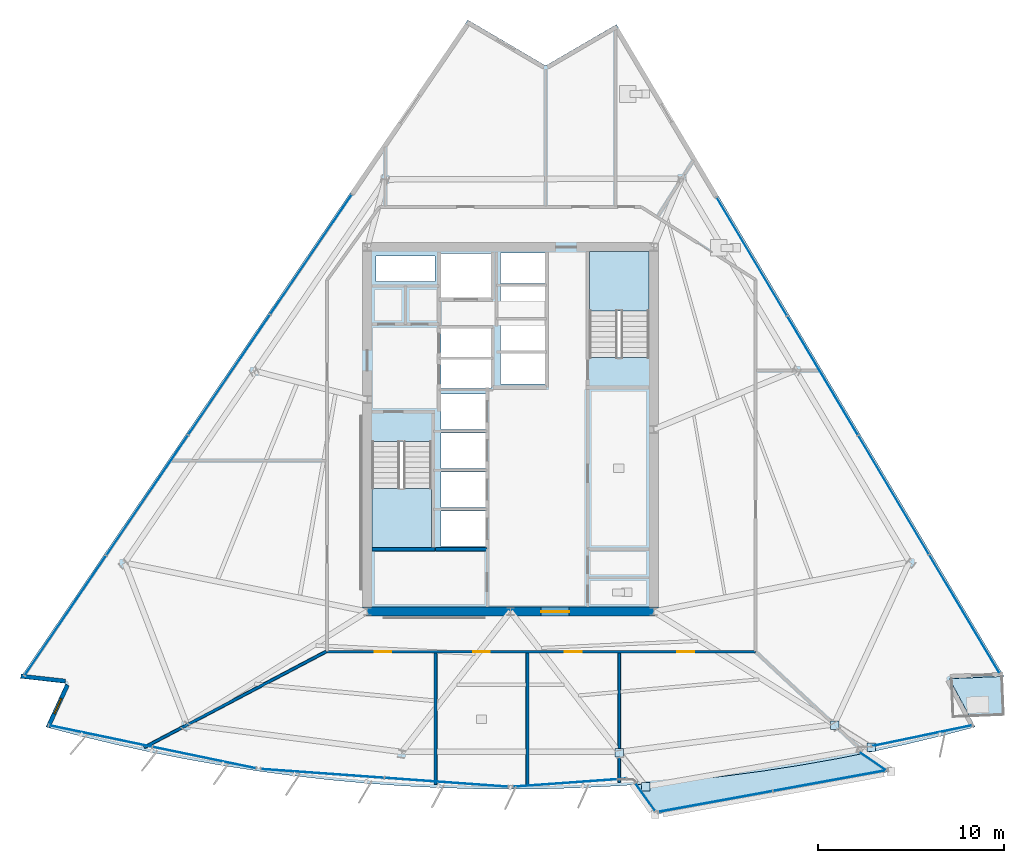
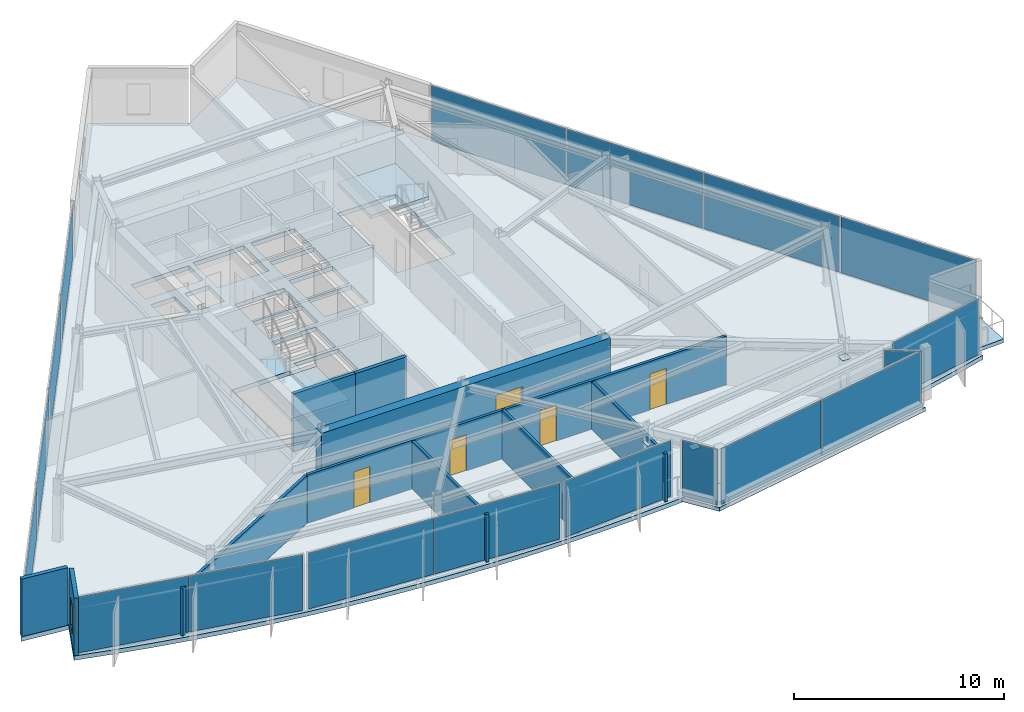
# One storey, part 6 of 12: 22 plates, 10 walls, 5 doors, 5 slabs, 1 window, 6 openings, 11 elements without a shape of their own.
"""IFC4 building model written with IfcOpenShell, lengths in metres."""

from ifc_helpers import new_model, si_unit, direction, frame, frame_2d, origin, origin_2d, place, context, subcontext, project, spatial, polyline, rectangle, outline, extrude, material, layer, layer_set, type_object, element, fill, aggregate, save


model = new_model("IFC4")

# Units and contexts
model_context = context("Model", 3, precision=1e-05, world=origin(), true_north=direction((0.0, 1.0)))
body_context = subcontext(model_context, "Body", "Model", "MODEL_VIEW")
ifc_project = project(units=[si_unit("LENGTHUNIT", "METRE"), si_unit("AREAUNIT", "SQUARE_METRE"), si_unit("VOLUMEUNIT", "CUBIC_METRE"), si_unit("PLANEANGLEUNIT", "RADIAN"), si_unit("MASSUNIT", "GRAM", prefix="KILO")], contexts=[model_context])

# Site, building, storey
site_placement = place(None, origin())
site = spatial("IfcSite", under=ifc_project, at=site_placement, CompositionType="ELEMENT")
building_placement = place(site_placement, origin())
building = spatial("IfcBuilding", under=site, at=building_placement, Name="Savorim Split Tower", CompositionType="ELEMENT")
storey_placement = place(building_placement, frame((0.0, 0.0, 171.0)))
storey = spatial("IfcBuildingStorey", under=building, at=storey_placement, Name="L45", CompositionType="ELEMENT", Elevation=171.0)

# Curtain wall, plates
ifc_material_1 = material(Name="Dark Ceramic-Fritted Insulated Glass", Category="glass")
curtain_wall_type_1 = type_object("IfcCurtainWallType", Name="CW-TWR-FRIT-B", PredefinedType="NOTDEFINED", material=ifc_material_1)
curtain_wall_1_placement = place(storey_placement, origin())
curtain_wall_1 = element("IfcCurtainWall", 1, at=curtain_wall_1_placement, inside=storey, type_object=curtain_wall_type_1, Name="L45 Curtain Wall CW-L45-SF1A", PredefinedType="NOTDEFINED")
ifc_layer_1 = layer(ifc_material_1, 0.02587890625)
ifc_layer_set_1 = layer_set([ifc_layer_1], Name="CWP-FRITB-26")
plate_type_1 = type_object("IfcPlateType", Name="CWP-FRITB-26", PredefinedType="CURTAIN_PANEL", material=ifc_layer_set_1)
plate_1_placement = place(storey_placement, frame((-22.048583984375, -16.09619140625, 0.050048828125), z_axis=(0.0, 0.0, 1.0), x_axis=(0.979133837467, -0.20321645683, 0.0)))
plate_1 = element("IfcPlate", 2, at=plate_1_placement, type_object=plate_type_1, Name="CW-03 panel 1.1", PredefinedType="CURTAIN_PANEL", context=body_context, shape_type="SweptSolid", body=[
    extrude(rectangle(XDim=5.642333984375, YDim=0.02587890625, at=origin_2d()), origin(), (0.0, 0.0, 1.0), 3.25),
])
plate_2_placement = place(storey_placement, frame((-16.46533203125, -17.255126953125, 0.050048828125), z_axis=(0.0, 0.0, 1.0), x_axis=(0.979133837467, -0.20321645683, 0.0)))
plate_2 = element("IfcPlate", 3, at=plate_2_placement, type_object=plate_type_1, Name="CW-03 panel 2.1", PredefinedType="CURTAIN_PANEL", context=body_context, shape_type="SweptSolid", body=[
    extrude(rectangle(XDim=5.642333984375, YDim=0.02587890625, at=origin_2d()), origin(), (0.0, 0.0, 1.0), 3.25),
])
aggregate(curtain_wall_1, [plate_1, plate_2])

curtain_wall_2_placement = place(storey_placement, origin())
curtain_wall_2 = element("IfcCurtainWall", 4, at=curtain_wall_2_placement, inside=storey, type_object=curtain_wall_type_1, Name="L45 Curtain Wall CW-L45-SF2A", PredefinedType="NOTDEFINED")
plate_3_placement = place(storey_placement, frame((-10.104736328125, -18.106689453125, 0.050048828125), z_axis=(0.0, 0.0, 1.0), x_axis=(0.997436348097, -0.07155928658, 0.0)))
plate_3 = element("IfcPlate", 5, at=plate_3_placement, type_object=plate_type_1, Name="CW-03 panel 1.1", PredefinedType="CURTAIN_PANEL", context=body_context, shape_type="SweptSolid", body=[
    extrude(rectangle(XDim=6.61279296875, YDim=0.02587890625, at=origin_2d()), origin(), (0.0, 0.0, 1.0), 3.25),
])
plate_4_placement = place(storey_placement, frame((-3.448974609375, -18.584228515625, 0.050048828125), z_axis=(0.0, 0.0, 1.0), x_axis=(0.997436348097, -0.07155928658, 0.0)))
plate_4 = element("IfcPlate", 6, at=plate_4_placement, type_object=plate_type_1, Name="CW-03 panel 2.1", PredefinedType="CURTAIN_PANEL", context=body_context, shape_type="SweptSolid", body=[
    extrude(rectangle(XDim=6.61279296875, YDim=0.02587890625, at=origin_2d()), origin(), (0.0, 0.0, 1.0), 3.25),
])
aggregate(curtain_wall_2, [plate_3, plate_4])

# Curtain wall, plate
curtain_wall_3_placement = place(storey_placement, origin())
curtain_wall_3 = element("IfcCurtainWall", 7, at=curtain_wall_3_placement, inside=storey, type_object=curtain_wall_type_1, Name="L45 Curtain Wall CW-L45-SF3A", PredefinedType="NOTDEFINED")
plate_5_placement = place(storey_placement, frame((3.1806640625, -18.603515625, 0.050048828125), z_axis=(0.0, 0.0, 1.0), x_axis=(0.99743619777, 0.07156138189, 0.0)))
plate_5 = element("IfcPlate", 8, at=plate_5_placement, type_object=plate_type_1, Name="CW-03 panel 1.1", PredefinedType="CURTAIN_PANEL", context=body_context, shape_type="SweptSolid", body=[
    extrude(rectangle(XDim=6.07470703125, YDim=0.02587890625, at=origin_2d()), origin(), (0.0, 0.0, 1.0), 3.25),
])
aggregate(curtain_wall_3, [plate_5])

curtain_wall_4_placement = place(storey_placement, origin())
curtain_wall_4 = element("IfcCurtainWall", 9, at=curtain_wall_4_placement, inside=storey, type_object=curtain_wall_type_1, Name="L45 Curtain Wall CW-L45-SF4A", PredefinedType="NOTDEFINED")
plate_6_placement = place(storey_placement, frame((22.120849609375, -16.081298828125, 0.050048828125), z_axis=(0.0, 0.0, 1.0), x_axis=(0.979132901408, 0.203220966883, 0.0)))
plate_6 = element("IfcPlate", 10, at=plate_6_placement, type_object=plate_type_1, Name="CW-03 panel 1.1", PredefinedType="CURTAIN_PANEL", context=body_context, shape_type="SweptSolid", body=[
    extrude(rectangle(XDim=5.4951171875, YDim=0.02587890625, at=origin_2d()), origin(), (0.0, 0.0, 1.0), 3.25),
])
aggregate(curtain_wall_4, [plate_6])

# Curtain wall, plates
curtain_wall_5_placement = place(storey_placement, origin())
curtain_wall_5 = element("IfcCurtainWall", 11, at=curtain_wall_5_placement, inside=storey, type_object=curtain_wall_type_1, Name="L45 Curtain Wall CW-L45-EAST", PredefinedType="NOTDEFINED")
plate_7_placement = place(storey_placement, frame((24.410400390625, -9.536865234375, 0.050048828125), z_axis=(0.0, 0.0, 1.0), x_axis=(-0.511093786039, 0.85952495128, 0.0)))
plate_7 = element("IfcPlate", 12, at=plate_7_placement, type_object=plate_type_1, Name="CW-03 panel 1.1", PredefinedType="CURTAIN_PANEL", context=body_context, shape_type="SweptSolid", body=[
    extrude(rectangle(XDim=7.37353515625, YDim=0.02587890625, at=origin_2d()), origin(), (0.0, 0.0, 1.0), 3.25),
])
plate_8_placement = place(storey_placement, frame((20.603515625, -3.134765625, 0.050048828125), z_axis=(0.0, 0.0, 1.0), x_axis=(-0.511093786039, 0.85952495128, 0.0)))
plate_8 = element("IfcPlate", 13, at=plate_8_placement, type_object=plate_type_1, Name="CW-03 panel 2.1", PredefinedType="CURTAIN_PANEL", context=body_context, shape_type="SweptSolid", body=[
    extrude(rectangle(XDim=7.403564453125, YDim=0.02587890625, at=origin_2d()), origin(), (0.0, 0.0, 1.0), 3.25),
])
plate_9_placement = place(storey_placement, frame((16.7890625, 3.2802734375, 0.050048828125), z_axis=(0.0, 0.0, 1.0), x_axis=(-0.511093786039, 0.85952495128, 0.0)))
plate_9 = element("IfcPlate", 14, at=plate_9_placement, type_object=plate_type_1, Name="CW-03 panel 3.1", PredefinedType="CURTAIN_PANEL", context=body_context, shape_type="SweptSolid", body=[
    extrude(rectangle(XDim=7.403564453125, YDim=0.02587890625, at=origin_2d()), origin(), (0.0, 0.0, 1.0), 3.25),
])
plate_10_placement = place(storey_placement, frame((12.982177734375, 9.682373046875, 0.050048828125), z_axis=(0.0, 0.0, 1.0), x_axis=(-0.511093786039, 0.85952495128, 0.0)))
plate_10 = element("IfcPlate", 15, at=plate_10_placement, type_object=plate_type_1, Name="CW-03 panel 4.1", PredefinedType="CURTAIN_PANEL", context=body_context, shape_type="SweptSolid", body=[
    extrude(rectangle(XDim=7.37353515625, YDim=0.02587890625, at=origin_2d()), origin(), (0.0, 0.0, 1.0), 3.25),
])
aggregate(curtain_wall_5, [plate_7, plate_8, plate_9, plate_10])

curtain_wall_6_placement = place(storey_placement, origin())
curtain_wall_6 = element("IfcCurtainWall", 16, at=curtain_wall_6_placement, inside=storey, type_object=curtain_wall_type_1, Name="L45 Curtain Wall CW-L45-WEST", PredefinedType="NOTDEFINED")
plate_11_placement = place(storey_placement, frame((-10.730224609375, 9.800048828125, 0.050048828125), z_axis=(0.0, 0.0, 1.0), x_axis=(-0.562467714384, -0.826819248854, 0.0)))
plate_11 = element("IfcPlate", 17, at=plate_11_placement, type_object=plate_type_1, Name="CW-03 panel 1.1", PredefinedType="CURTAIN_PANEL", context=body_context, shape_type="SweptSolid", body=[
    extrude(rectangle(XDim=7.74951171875, YDim=0.02587890625, at=origin_2d()), origin(), (0.0, 0.0, 1.0), 3.25),
])
plate_12_placement = place(storey_placement, frame((-15.13134765625, 3.33056640625, 0.050048828125), z_axis=(0.0, 0.0, 1.0), x_axis=(-0.562467714384, -0.826819248854, 0.0)))
plate_12 = element("IfcPlate", 18, at=plate_12_placement, type_object=plate_type_1, Name="CW-03 panel 2.1", PredefinedType="CURTAIN_PANEL", context=body_context, shape_type="SweptSolid", body=[
    extrude(rectangle(XDim=7.779541015625, YDim=0.02587890625, at=origin_2d()), origin(), (0.0, 0.0, 1.0), 3.25),
])
plate_13_placement = place(storey_placement, frame((-19.540771484375, -3.1513671875, 0.050048828125), z_axis=(0.0, 0.0, 1.0), x_axis=(-0.562467714384, -0.826819248854, 0.0)))
plate_13 = element("IfcPlate", 19, at=plate_13_placement, type_object=plate_type_1, Name="CW-03 panel 3.1", PredefinedType="CURTAIN_PANEL", context=body_context, shape_type="SweptSolid", body=[
    extrude(rectangle(XDim=7.779541015625, YDim=0.02587890625, at=origin_2d()), origin(), (0.0, 0.0, 1.0), 3.25),
])
plate_14_placement = place(storey_placement, frame((-23.94189453125, -9.620849609375, 0.050048828125), z_axis=(0.0, 0.0, 1.0), x_axis=(-0.562467714384, -0.826819248854, 0.0)))
plate_14 = element("IfcPlate", 20, at=plate_14_placement, type_object=plate_type_1, Name="CW-03 panel 4.1", PredefinedType="CURTAIN_PANEL", context=body_context, shape_type="SweptSolid", body=[
    extrude(rectangle(XDim=7.74951171875, YDim=0.02587890625, at=origin_2d()), origin(), (0.0, 0.0, 1.0), 3.25),
])
aggregate(curtain_wall_6, [plate_11, plate_12, plate_13, plate_14])

curtain_wall_type_2 = type_object("IfcCurtainWallType", Name="CW-BAY-LOUNGE", PredefinedType="NOTDEFINED", material=ifc_material_1)
curtain_wall_7_placement = place(storey_placement, origin())
curtain_wall_7 = element("IfcCurtainWall", 21, at=curtain_wall_7_placement, inside=storey, type_object=curtain_wall_type_2, Name="L45 Curtain Wall CW-L45-BAYF", PredefinedType="NOTDEFINED")
ifc_material_2 = material(Name="Low-E Operable Double Glazing", Category="glass")
ifc_layer_2 = layer(ifc_material_2, 0.031982421875)
ifc_layer_set_2 = layer_set([ifc_layer_2], Name="CWP-POD-32")
plate_type_2 = type_object("IfcPlateType", Name="CWP-POD-32", PredefinedType="CURTAIN_PANEL", material=ifc_layer_set_2)
plate_15_placement = place(storey_placement, frame((11.01416015625, -19.618408203125, 0.05517578125), z_axis=(0.0, 0.0, 1.0), x_axis=(0.983754673364, 0.17951808442, 0.0)))
plate_15 = element("IfcPlate", 22, at=plate_15_placement, type_object=plate_type_2, Name="CW-04 panel 1.1", PredefinedType="CURTAIN_PANEL", context=body_context, shape_type="SweptSolid", body=[
    extrude(rectangle(XDim=6.22412109375, YDim=0.031982421875, at=origin_2d()), origin(), (0.0, 0.0, 1.0), 3.239990234375),
])
plate_16_placement = place(storey_placement, frame((17.201171875, -18.489501953125, 0.05517578125), z_axis=(0.0, 0.0, 1.0), x_axis=(0.983754673364, 0.17951808442, 0.0)))
plate_16 = element("IfcPlate", 23, at=plate_16_placement, type_object=plate_type_2, Name="CW-04 panel 2.1", PredefinedType="CURTAIN_PANEL", context=body_context, shape_type="SweptSolid", body=[
    extrude(rectangle(XDim=6.22412109375, YDim=0.031982421875, at=origin_2d()), origin(), (0.0, 0.0, 1.0), 3.239990234375),
])
aggregate(curtain_wall_7, [plate_15, plate_16])

# Curtain wall, plate
curtain_wall_8_placement = place(storey_placement, origin())
curtain_wall_8 = element("IfcCurtainWall", 24, at=curtain_wall_8_placement, inside=storey, type_object=curtain_wall_type_2, Name="L45 Curtain Wall CW-L45-BAYW", PredefinedType="NOTDEFINED")
plate_17_placement = place(storey_placement, frame((7.248291015625, -19.3798828125, 0.05517578125), z_axis=(0.0, 0.0, 1.0), x_axis=(0.581096777176, -0.813834464468, 0.0)))
plate_17 = element("IfcPlate", 25, at=plate_17_placement, type_object=plate_type_2, Name="CW-04 panel 1.1", PredefinedType="CURTAIN_PANEL", context=body_context, shape_type="SweptSolid", body=[
    extrude(rectangle(XDim=1.81005859375, YDim=0.031982421875, at=origin_2d()), origin(), (0.0, 0.0, 1.0), 3.239990234375),
])
aggregate(curtain_wall_8, [plate_17])

curtain_wall_9_placement = place(storey_placement, origin())
curtain_wall_9 = element("IfcCurtainWall", 26, at=curtain_wall_9_placement, inside=storey, type_object=curtain_wall_type_2, Name="L45 Curtain Wall CW-L45-BAYE", PredefinedType="NOTDEFINED")
plate_18_placement = place(storey_placement, frame((19.4755859375, -17.45166015625, 0.05517578125), z_axis=(0.0, 0.0, 1.0), x_axis=(-0.829416830494, 0.558630218743, 0.0)))
plate_18 = element("IfcPlate", 27, at=plate_18_placement, type_object=plate_type_2, Name="CW-04 panel 1.1", PredefinedType="CURTAIN_PANEL", context=body_context, shape_type="SweptSolid", body=[
    extrude(rectangle(XDim=1.705078125, YDim=0.031982421875, at=origin_2d()), origin(), (0.0, 0.0, 1.0), 3.239990234375),
])
aggregate(curtain_wall_9, [plate_18])

# Plates
ifc_material_3 = material(Name="Steel S460", Category="steel")
ifc_layer_3 = layer(ifc_material_3, 0.02490234375)
ifc_layer_set_3 = layer_set([ifc_layer_3], Name="PLT-NODE-CN1")
plate_type_3 = type_object("IfcPlateType", Name="PLT-NODE-CN1", PredefinedType="SHEET", material=ifc_layer_set_3)
for number, where, z_axis, x_axis, name in (
    (28, (5.844482421875, -16.9921875, 2.4375), (0.0, 0.0, 1.0), (1.0, 0.0, 0.0), "L45 Bay Strut Column Gusset Plate 1"),
    (29, (7.2734375, -18.811279296875, 2.8076171875), (0.0, 0.0, 1.0), (1.0, 0.0, 0.0), "L45 Bay Strut Tip Gusset Plate 1"),
    (30, (17.43798828125, -15.50390625, 2.4375), (0.0, 0.0, 1.0), (1.0, 0.0, 0.0), "L45 Bay Strut Column Gusset Plate 2"),
    (31, (19.407958984375, -16.7099609375, 2.8076171875), (0.0, 0.0, 1.0), (1.0, 0.0, 0.0), "L45 Bay Strut Tip Gusset Plate 2"),
):
    element("IfcPlate", number, at=place(storey_placement, frame(where, z_axis=z_axis, x_axis=x_axis)), inside=storey, type_object=plate_type_3, Name=name, PredefinedType="SHEET", context=body_context, shape_type="SweptSolid", body=[
        extrude(rectangle(XDim=0.4599609375, YDim=0.4599609375, at=origin_2d()), origin(), (0.0, 0.0, 1.0), 0.02490234375),
    ])

# Slabs
ifc_material_4 = material(Name="Concrete C50/60", Category="concrete")
ifc_layer_4 = layer(ifc_material_4, 0.219970703125)
ifc_layer_set_4 = layer_set([ifc_layer_4], Name="SLB-BAL-220")
slab_type_1 = type_object("IfcSlabType", Name="SLB-BAL-220", PredefinedType="FLOOR", material=ifc_layer_set_4)
slab_1_placement = place(storey_placement, frame((0.0, 0.0, -0.219970703125)))
element("IfcSlab", 32, at=slab_1_placement, inside=storey, type_object=slab_type_1, Name="L45 Cantilevered Shared Kitchen Lounge Slab", PredefinedType="FLOOR", context=body_context, shape_type="SweptSolid", body=[
    extrude(outline(polyline([(19.023193359375, -17.026611328125), (17.4091796875, -17.34423828125), (15.4931640625, -17.680908203125), (13.57080078125, -17.978515625), (11.642578125, -18.236328125), (9.709716796875, -18.454833984375), (7.772705078125, -18.6337890625), (6.650146484375, -18.714111328125), (7.78857421875, -20.30859375), (20.462646484375, -17.995849609375), (19.023193359375, -17.026611328125)])), origin(), (0.0, 0.0, 1.0), 0.219970703125),
])
slab_2_placement = place(storey_placement, frame((0.0, 0.0, -0.219970703125)))
element("IfcSlab", 33, at=slab_2_placement, inside=storey, type_object=slab_type_1, Name="L45 Notched Corner Planted Tree Balcony Slab", PredefinedType="FLOOR", context=body_context, shape_type="SweptSolid", body=[
    extrude(outline(polyline([(26.421142578125, -12.89501953125), (23.71826171875, -13.010009765625), (23.72802734375, -13.24169921875), (24.679931640625, -15.01611328125), (26.508056640625, -14.938232421875), (26.421142578125, -12.89501953125)])), origin(), (0.0, 0.0, 1.0), 0.219970703125),
])

# Stair, slab
stair_type = type_object("IfcStairType", Name="STR-DOG-3600", PredefinedType="HALF_TURN_STAIR", material=ifc_material_4)
stair_1_placement = place(storey_placement, origin())
stair_1 = element("IfcStair", 34, at=stair_1_placement, inside=storey, type_object=stair_type, Name="L45 Core Protected Exit Stair ST-1", PredefinedType="HALF_TURN_STAIR")
ifc_layer_5 = layer(ifc_material_4, 0.199951171875)
ifc_layer_set_5 = layer_set([ifc_layer_5], Name="SLB-LND-200")
slab_type_2 = type_object("IfcSlabType", Name="SLB-LND-200", PredefinedType="LANDING", material=ifc_layer_set_5)
slab_3_placement = place(storey_placement, frame((0.0, 0.0, 1.60009765625)))
slab_3 = element("IfcSlab", 35, at=slab_3_placement, type_object=slab_type_2, Name="ST-1 landing 1", PredefinedType="LANDING", context=body_context, shape_type="SweptSolid", body=[
    extrude(outline(polyline([(-7.449951171875, -2.77001953125), (-7.449951171875, -5.949951171875), (-4.25, -5.949951171875), (-4.25, -2.77001953125), (-7.449951171875, -2.77001953125)])), origin(), (0.0, 0.0, 1.0), 0.199951171875),
])
aggregate(stair_1, [slab_3])

stair_2_placement = place(storey_placement, origin())
stair_2 = element("IfcStair", 36, at=stair_2_placement, inside=storey, type_object=stair_type, Name="L45 Core Protected Exit Stair ST-2", PredefinedType="HALF_TURN_STAIR")
slab_4_placement = place(storey_placement, frame((0.0, 0.0, 1.60009765625)))
slab_4 = element("IfcSlab", 37, at=slab_4_placement, type_object=slab_type_2, Name="ST-2 landing 1", PredefinedType="LANDING", context=body_context, shape_type="SweptSolid", body=[
    extrude(outline(polyline([(7.449951171875, 6.77001953125), (7.449951171875, 9.949951171875), (4.25, 9.949951171875), (4.25, 6.77001953125), (7.449951171875, 6.77001953125)])), origin(), (0.0, 0.0, 1.0), 0.199951171875),
])
aggregate(stair_2, [slab_4])

# Slab
ifc_layer_6 = layer(ifc_material_4, 0.25)
ifc_layer_set_6 = layer_set([ifc_layer_6], Name="SLB-TWR-250")
slab_type_3 = type_object("IfcSlabType", Name="SLB-TWR-250", PredefinedType="FLOOR", material=ifc_layer_set_6)
slab_5_placement = place(storey_placement, frame((0.0, 0.0, -0.25)))
element("IfcSlab", 38, at=slab_5_placement, inside=storey, type_object=slab_type_3, Name="L45 Structural Floor Slab", PredefinedType="FLOOR", context=body_context, shape_type="SweptSolid", body=[
    extrude(outline(polyline([(-24.991943359375, -15.60791015625), (-23.110107421875, -16.10009765625), (-21.21826171875, -16.5537109375), (-19.31787109375, -16.968505859375), (-17.4091796875, -17.34423828125), (-15.4931640625, -17.680908203125), (-13.57080078125, -17.978515625), (-11.642578125, -18.236328125), (-9.709716796875, -18.454833984375), (-7.772705078125, -18.6337890625), (-5.832275390625, -18.77294921875), (-3.8896484375, -18.872314453125), (-1.9453125, -18.93212890625), (0.0, -18.951904296875), (1.9453125, -18.93212890625), (3.8896484375, -18.872314453125), (5.832275390625, -18.77294921875), (7.772705078125, -18.6337890625), (9.709716796875, -18.454833984375), (11.642578125, -18.236328125), (13.57080078125, -17.978515625), (15.4931640625, -17.680908203125), (17.4091796875, -17.34423828125), (19.31787109375, -16.968505859375), (21.21826171875, -16.5537109375), (23.110107421875, -16.10009765625), (24.991943359375, -15.60791015625), (23.59814453125, -13.01025390625), (26.541015625, -12.885009765625), (5.697021484375, 22.1689453125), (1.89208984375, 19.951416015625), (-2.29541015625, 22.41259765625), (-26.378173828125, -12.988525390625), (-23.914794921875, -13.263671875), (-24.991943359375, -15.60791015625)]), holes=[polyline([(-7.449951171875, -0.25390625), (-7.449951171875, -5.949951171875), (-4.25, -5.949951171875), (-4.25, -0.25390625), (-7.449951171875, -0.25390625)]), polyline([(7.449951171875, 4.25390625), (7.449951171875, 9.949951171875), (4.25, 9.949951171875), (4.25, 4.25390625), (7.449951171875, 4.25390625)]), polyline([(-3.75, -5.89990234375), (-1.35009765625, -5.89990234375), (-1.35009765625, -4.0), (-3.75, -4.0), (-3.75, -5.89990234375)]), polyline([(-3.75, -3.800048828125), (-1.35009765625, -3.800048828125), (-1.35009765625, -1.89990234375), (-3.75, -1.89990234375), (-3.75, -3.800048828125)]), polyline([(-3.75, -1.699951171875), (-1.35009765625, -1.699951171875), (-1.35009765625, 0.199951171875), (-3.75, 0.199951171875), (-3.75, -1.699951171875)]), polyline([(-3.75, 0.39990234375), (-1.35009765625, 0.39990234375), (-1.35009765625, 2.300048828125), (-3.75, 2.300048828125), (-3.75, 0.39990234375)]), polyline([(-0.550048828125, 2.830078125), (1.85009765625, 2.830078125), (1.85009765625, 4.469970703125), (-0.550048828125, 4.469970703125), (-0.550048828125, 2.830078125)]), polyline([(-0.550048828125, 4.6298828125), (1.85009765625, 4.6298828125), (1.85009765625, 6.27001953125), (-0.550048828125, 6.27001953125), (-0.550048828125, 4.6298828125)]), polyline([(-0.550048828125, 6.429931640625), (1.85009765625, 6.429931640625), (1.85009765625, 8.070068359375), (-0.550048828125, 8.070068359375), (-0.550048828125, 6.429931640625)]), polyline([(-0.550048828125, 8.22998046875), (1.85009765625, 8.22998046875), (1.85009765625, 9.8701171875), (-0.550048828125, 9.8701171875), (-0.550048828125, 8.22998046875)]), polyline([(-3.75, 2.60009765625), (-1.050048828125, 2.60009765625), (-1.050048828125, 4.159912109375), (-3.75, 4.159912109375), (-3.75, 2.60009765625)]), polyline([(-3.75, 4.280029296875), (-1.050048828125, 4.280029296875), (-1.050048828125, 5.840087890625), (-3.75, 5.840087890625), (-3.75, 4.280029296875)]), polyline([(-3.75, 7.449951171875), (-0.949951171875, 7.449951171875), (-0.949951171875, 9.85009765625), (-3.75, 9.85009765625), (-3.75, 7.449951171875)]), polyline([(-7.219970703125, 6.320068359375), (-5.919921875, 6.320068359375), (-5.919921875, 7.820068359375), (-7.219970703125, 7.820068359375), (-7.219970703125, 6.320068359375)]), polyline([(-5.3798828125, 6.320068359375), (-4.050048828125, 6.320068359375), (-4.050048828125, 7.820068359375), (-5.3798828125, 7.820068359375), (-5.3798828125, 6.320068359375)]), polyline([(-7.219970703125, 8.360107421875), (-4.050048828125, 8.360107421875), (-4.050048828125, 9.719970703125), (-7.219970703125, 9.719970703125), (-7.219970703125, 8.360107421875)])]), origin(), (0.0, 0.0, 1.0), 0.25),
])

# Wall, opening, door
ifc_material_5 = material(Name="Concrete C60/75", Category="concrete")
ifc_layer_7 = layer(ifc_material_5, 0.5)
ifc_layer_set_7 = layer_set([ifc_layer_7], Name="WAL-COR-SH500")
wall_type_1 = type_object("IfcWallType", Name="WAL-COR-SH500", PredefinedType="SHEAR", material=ifc_layer_set_7)
wall_1_placement = place(storey_placement, frame((-7.949951171875, -9.39990234375, 0.0), z_axis=(0.0, 0.0, 1.0), x_axis=(1.0, 0.0, 0.0)))
wall_1 = element("IfcWall", 39, at=wall_1_placement, inside=storey, type_object=wall_type_1, Name="L45 Offset Core South Shear Wall", PredefinedType="SHEAR", context=body_context, shape_type="SweptSolid", body=[
    extrude(rectangle(XDim=15.89990234375, YDim=0.5, at=frame_2d((7.949951171875, 0.0))), origin(), (0.0, 0.0, 1.0), 3.35009765625),
])
opening_1_placement = place(wall_1_placement, frame((9.60009765625, 0.0, 0.0)))
opening_1 = element("IfcOpeningElement", 40, at=opening_1_placement, cuts=wall_1, Name="Opening DI-02", PredefinedType="OPENING", context=body_context, shape_type="SweptSolid", body=[
    extrude(rectangle(XDim=1.5, YDim=2.199951171875, at=frame_2d((0.75, 1.10009765625))), frame((0.0, 0.260009765625, 0.0), z_axis=(0.0, -1.0, 0.0), x_axis=(1.0, 0.0, 0.0)), (0.0, 0.0, 1.0), 0.52001953125),
])
ifc_material_6 = material(Name="Timber Fire Door Leaf", Category="wood")
door_type_1 = type_object("IfcDoorType", Name="DOR-DBL-1500", OperationType="NOTDEFINED", PredefinedType="DOOR", material=ifc_material_6)
door_1_placement = place(opening_1_placement, origin())
door_1 = element("IfcDoor", 41, at=door_1_placement, inside=storey, type_object=door_type_1, Name="DOR-L45-COR-LLOB - L45 Lift Lobby Main Rated Door", OperationType="DOUBLE_DOOR_SINGLE_SWING", OverallHeight=2.199951171875, OverallWidth=1.5, PredefinedType="DOOR", context=body_context, shape_type="SweptSolid", body=[
    extrude(rectangle(XDim=1.5, YDim=2.199951171875, at=frame_2d((0.75, 1.10009765625))), frame((0.0, 0.02490234375, 0.0), z_axis=(0.0, -1.0, 0.0), x_axis=(1.0, 0.0, 0.0)), (0.0, 0.0, 1.0), 0.050048828125),
])
fill(opening_1, door_1)

# Wall
ifc_material_7 = material(Name="Precast concrete C40/50", Category="concrete")
ifc_layer_8 = layer(ifc_material_7, 0.219970703125)
ifc_layer_set_8 = layer_set([ifc_layer_8], Name="WAL-EXT-CRN220")
wall_type_2 = type_object("IfcWallType", Name="WAL-EXT-CRN220", PredefinedType="SOLIDWALL", material=ifc_layer_set_8)
wall_2_placement = place(storey_placement, frame((-23.94140625, -13.139892578125, 0.0), z_axis=(0.0, 0.0, 1.0), x_axis=(-0.993825249999, 0.110956624245, 0.0)))
element("IfcWall", 42, at=wall_2_placement, inside=storey, type_object=wall_type_2, Name="L45 Notched Corner Facade Wall SW1", PredefinedType="SOLIDWALL", context=body_context, shape_type="SweptSolid", body=[
    extrude(rectangle(XDim=2.3984375, YDim=0.219970703125, at=frame_2d((1.19921875, 0.0))), origin(), (0.0, 0.0, 1.0), 3.35009765625),
])

# Wall, opening, window
wall_3_placement = place(storey_placement, frame((-24.8662109375, -15.621826171875, 0.0), z_axis=(0.0, 0.0, 1.0), x_axis=(0.417478378529, 0.908686856657, 0.0)))
wall_3 = element("IfcWall", 43, at=wall_3_placement, inside=storey, type_object=wall_type_2, Name="L45 Notched Corner Facade Wall SW", PredefinedType="SOLIDWALL", context=body_context, shape_type="SweptSolid", body=[
    extrude(rectangle(XDim=2.5, YDim=0.219970703125, at=frame_2d((1.25, 0.0))), origin(), (0.0, 0.0, 1.0), 3.35009765625),
])
opening_2_placement = place(wall_3_placement, frame((0.800048828125, 0.0, 0.6201171875)))
opening_2 = element("IfcOpeningElement", 44, at=opening_2_placement, cuts=wall_3, Name="Opening WN-10", PredefinedType="OPENING", context=body_context, shape_type="SweptSolid", body=[
    extrude(rectangle(XDim=0.89990234375, YDim=1.60009765625, at=frame_2d((0.449951171875, 0.800048828125))), frame((0.0, 0.119873046875, 0.0), z_axis=(0.0, -1.0, 0.0), x_axis=(1.0, 0.0, 0.0)), (0.0, 0.0, 1.0), 0.239990234375),
])
window_type = type_object("IfcWindowType", Name="WIN-TWR-900x1600", PartitioningType="SINGLE_PANEL", PredefinedType="WINDOW", material=ifc_material_2)
window_placement = place(opening_2_placement, origin())
window = element("IfcWindow", 45, at=window_placement, inside=storey, type_object=window_type, Name="L45 Operable Corner Window SW", OverallHeight=1.60009765625, OverallWidth=0.89990234375, PartitioningType="SINGLE_PANEL", PredefinedType="WINDOW", context=body_context, shape_type="SweptSolid", body=[
    extrude(rectangle(XDim=0.89990234375, YDim=1.60009765625, at=frame_2d((0.449951171875, 0.800048828125))), frame((0.0, 0.030029296875, 0.0), z_axis=(0.0, -1.0, 0.0), x_axis=(1.0, 0.0, 0.0)), (0.0, 0.0, 1.0), 0.06005859375),
])
fill(opening_2, window)

# Walls
ifc_layer_9 = layer(ifc_material_4, 0.199951171875)
ifc_layer_set_9 = layer_set([ifc_layer_9], Name="WAL-INT-RC200")
wall_type_3 = type_object("IfcWallType", Name="WAL-INT-RC200", PredefinedType="SOLIDWALL", material=ifc_layer_set_9)
wall_4_placement = place(storey_placement, frame((-7.449951171875, -6.050048828125, 0.0), z_axis=(0.0, 0.0, 1.0), x_axis=(1.0, 0.0, 0.0)))
element("IfcWall", 46, at=wall_4_placement, inside=storey, type_object=wall_type_3, Name="L45 Structural Shaft Wall W-L45-KSEP-W", PredefinedType="SOLIDWALL", context=body_context, shape_type="SweptSolid", body=[
    extrude(rectangle(XDim=3.39990234375, YDim=0.199951171875, at=frame_2d((1.699951171875, 0.0))), origin(), (0.0, 0.0, 1.0), 3.35009765625),
])
wall_5_placement = place(storey_placement, frame((-4.0400390625, -6.050048828125, 0.0), z_axis=(0.0, 0.0, 1.0), x_axis=(1.0, 0.0, 0.0)))
element("IfcWall", 47, at=wall_5_placement, inside=storey, type_object=wall_type_3, Name="L45 Partition W-L45-KSEP-W2", PredefinedType="SOLIDWALL", context=body_context, shape_type="SweptSolid", body=[
    extrude(rectangle(XDim=2.7900390625, YDim=0.199951171875, at=frame_2d((1.39501953125, 0.0))), origin(), (0.0, 0.0, 1.0), 3.35009765625),
])

# Wall, openings, doors
ifc_material_8 = material(Name="Acoustic Gypsum Partition Board")
ifc_layer_10 = layer(ifc_material_8, 0.14990234375)
ifc_layer_set_10 = layer_set([ifc_layer_10], Name="WAL-PAR-150")
wall_type_4 = type_object("IfcWallType", Name="WAL-PAR-150", PredefinedType="PARTITIONING", material=ifc_layer_set_10)
wall_6_placement = place(storey_placement, frame((13.179931640625, -11.56005859375, 0.0), z_axis=(0.0, 0.0, 1.0), x_axis=(-1.0, 0.0, 0.0)))
wall_6 = element("IfcWall", 48, at=wall_6_placement, inside=storey, type_object=wall_type_4, Name="L45 Partition W-L45-COR-06", PredefinedType="PARTITIONING", context=body_context, shape_type="SweptSolid", body=[
    extrude(rectangle(XDim=23.0400390625, YDim=0.14990234375, at=frame_2d((11.52001953125, 0.0))), origin(), (0.0, 0.0, 1.0), 2.824951171875),
])
opening_3_placement = place(wall_6_placement, frame((19.58544921875, 0.0, 0.0)))
opening_3 = element("IfcOpeningElement", 49, at=opening_3_placement, cuts=wall_6, Name="Opening DI-06", PredefinedType="OPENING", context=body_context, shape_type="SweptSolid", body=[
    extrude(rectangle(XDim=0.89990234375, YDim=2.10009765625, at=frame_2d((0.449951171875, 1.050048828125))), frame((0.0, 0.0849609375, 0.0), z_axis=(0.0, -1.0, 0.0), x_axis=(1.0, 0.0, 0.0)), (0.0, 0.0, 1.0), 0.169921875),
])
opening_4_placement = place(wall_6_placement, frame((14.289794921875, 0.0, 0.0)))
opening_4 = element("IfcOpeningElement", 50, at=opening_4_placement, cuts=wall_6, Name="Opening DI-06", PredefinedType="OPENING", context=body_context, shape_type="SweptSolid", body=[
    extrude(rectangle(XDim=0.89990234375, YDim=2.10009765625, at=frame_2d((0.449951171875, 1.050048828125))), frame((0.0, 0.0849609375, 0.0), z_axis=(0.0, -1.0, 0.0), x_axis=(1.0, 0.0, 0.0)), (0.0, 0.0, 1.0), 0.169921875),
])
opening_5_placement = place(wall_6_placement, frame((9.3505859375, 0.0, 0.0)))
opening_5 = element("IfcOpeningElement", 51, at=opening_5_placement, cuts=wall_6, Name="Opening DI-06", PredefinedType="OPENING", context=body_context, shape_type="SweptSolid", body=[
    extrude(rectangle(XDim=0.89990234375, YDim=2.10009765625, at=frame_2d((0.449951171875, 1.050048828125))), frame((0.0, 0.0849609375, 0.0), z_axis=(0.0, -1.0, 0.0), x_axis=(1.0, 0.0, 0.0)), (0.0, 0.0, 1.0), 0.169921875),
])
opening_6_placement = place(wall_6_placement, frame((3.3046875, 0.0, 0.0)))
opening_6 = element("IfcOpeningElement", 52, at=opening_6_placement, cuts=wall_6, Name="Opening DI-06", PredefinedType="OPENING", context=body_context, shape_type="SweptSolid", body=[
    extrude(rectangle(XDim=0.89990234375, YDim=2.10009765625, at=frame_2d((0.449951171875, 1.050048828125))), frame((0.0, 0.0849609375, 0.0), z_axis=(0.0, -1.0, 0.0), x_axis=(1.0, 0.0, 0.0)), (0.0, 0.0, 1.0), 0.169921875),
])
door_type_2 = type_object("IfcDoorType", Name="DOR-FIR-900", OperationType="NOTDEFINED", PredefinedType="DOOR", material=ifc_material_6)
door_2_placement = place(opening_3_placement, origin())
door_2 = element("IfcDoor", 53, at=door_2_placement, inside=storey, type_object=door_type_2, Name="DR-L45-RM02 - L45 Maker Workshop Entry Door", OperationType="SINGLE_SWING_LEFT", OverallHeight=2.10009765625, OverallWidth=0.89990234375, PredefinedType="DOOR", context=body_context, shape_type="SweptSolid", body=[
    extrude(rectangle(XDim=0.89990234375, YDim=2.10009765625, at=frame_2d((0.449951171875, 1.050048828125))), frame((0.0, 0.02490234375, 0.0), z_axis=(0.0, -1.0, 0.0), x_axis=(1.0, 0.0, 0.0)), (0.0, 0.0, 1.0), 0.050048828125),
])
fill(opening_3, door_2)
door_3_placement = place(opening_4_placement, origin())
door_3 = element("IfcDoor", 54, at=door_3_placement, inside=storey, type_object=door_type_2, Name="DR-L45-RM03 - L45 Shared Kitchen Entry Door", OperationType="SINGLE_SWING_RIGHT", OverallHeight=2.10009765625, OverallWidth=0.89990234375, PredefinedType="DOOR", context=body_context, shape_type="SweptSolid", body=[
    extrude(rectangle(XDim=0.89990234375, YDim=2.10009765625, at=frame_2d((0.449951171875, 1.050048828125))), frame((0.0, 0.02490234375, 0.0), z_axis=(0.0, -1.0, 0.0), x_axis=(1.0, 0.0, 0.0)), (0.0, 0.0, 1.0), 0.050048828125),
])
fill(opening_4, door_3)
door_4_placement = place(opening_5_placement, origin())
door_4 = element("IfcDoor", 55, at=door_4_placement, inside=storey, type_object=door_type_2, Name="DR-L45-RM04 - L45 Co-Living Bedroom Entry Door", OperationType="SINGLE_SWING_LEFT", OverallHeight=2.10009765625, OverallWidth=0.89990234375, PredefinedType="DOOR", context=body_context, shape_type="SweptSolid", body=[
    extrude(rectangle(XDim=0.89990234375, YDim=2.10009765625, at=frame_2d((0.449951171875, 1.050048828125))), frame((0.0, 0.02490234375, 0.0), z_axis=(0.0, -1.0, 0.0), x_axis=(1.0, 0.0, 0.0)), (0.0, 0.0, 1.0), 0.050048828125),
])
fill(opening_5, door_4)
door_5_placement = place(opening_6_placement, origin())
door_5 = element("IfcDoor", 56, at=door_5_placement, inside=storey, type_object=door_type_2, Name="DR-L45-RM05 - L45 Maker Workshop Entry Door", OperationType="SINGLE_SWING_RIGHT", OverallHeight=2.10009765625, OverallWidth=0.89990234375, PredefinedType="DOOR", context=body_context, shape_type="SweptSolid", body=[
    extrude(rectangle(XDim=0.89990234375, YDim=2.10009765625, at=frame_2d((0.449951171875, 1.050048828125))), frame((0.0, 0.02490234375, 0.0), z_axis=(0.0, -1.0, 0.0), x_axis=(1.0, 0.0, 0.0)), (0.0, 0.0, 1.0), 0.050048828125),
])
fill(opening_6, door_5)

# Walls
wall_7_placement = place(storey_placement, frame((-9.9033203125, -11.5458984375, 0.0), z_axis=(0.0, 0.0, 1.0), x_axis=(-0.884581832764, -0.46638501385, 0.0)))
element("IfcWall", 57, at=wall_7_placement, inside=storey, type_object=wall_type_4, Name="L45 Partition W-L45-PRAD01", PredefinedType="PARTITIONING", context=body_context, shape_type="SweptSolid", body=[
    extrude(rectangle(XDim=11.0751953125, YDim=0.14990234375, at=frame_2d((5.53759765625, 0.0))), origin(), (0.0, 0.0, 1.0), 2.77490234375),
])
wall_8_placement = place(storey_placement, frame((5.848876953125, -11.6201171875, 0.0), z_axis=(0.0, 0.0, 1.0), x_axis=(0.0, -1.0, 0.0)))
element("IfcWall", 58, at=wall_8_placement, inside=storey, type_object=wall_type_4, Name="L45 Partition W-L45-PRAD03", PredefinedType="PARTITIONING", context=body_context, shape_type="SweptSolid", body=[
    extrude(rectangle(XDim=6.981201171875, YDim=0.14990234375, at=frame_2d((3.49072265625, 0.0))), origin(), (0.0, 0.0, 1.0), 2.77490234375),
])
wall_9_placement = place(storey_placement, frame((-4.029296875, -11.6201171875, 0.0), z_axis=(0.0, 0.0, 1.0), x_axis=(0.0, -1.0, 0.0)))
element("IfcWall", 59, at=wall_9_placement, inside=storey, type_object=wall_type_4, Name="L45 Partition W-L45-SUB03", PredefinedType="PARTITIONING", context=body_context, shape_type="SweptSolid", body=[
    extrude(rectangle(XDim=7.074951171875, YDim=0.14990234375, at=frame_2d((3.53759765625, 0.0))), origin(), (0.0, 0.0, 1.0), 2.77490234375),
])
wall_10_placement = place(storey_placement, frame((0.909912109375, -11.6201171875, 0.0), z_axis=(0.0, 0.0, 1.0), x_axis=(0.0, -1.0, 0.0)))
element("IfcWall", 60, at=wall_10_placement, inside=storey, type_object=wall_type_4, Name="L45 Partition W-L45-SUB05", PredefinedType="PARTITIONING", context=body_context, shape_type="SweptSolid", body=[
    extrude(rectangle(XDim=7.152587890625, YDim=0.14990234375, at=frame_2d((3.576171875, 0.0))), origin(), (0.0, 0.0, 1.0), 2.875),
])

save(model, "model.ifc")
